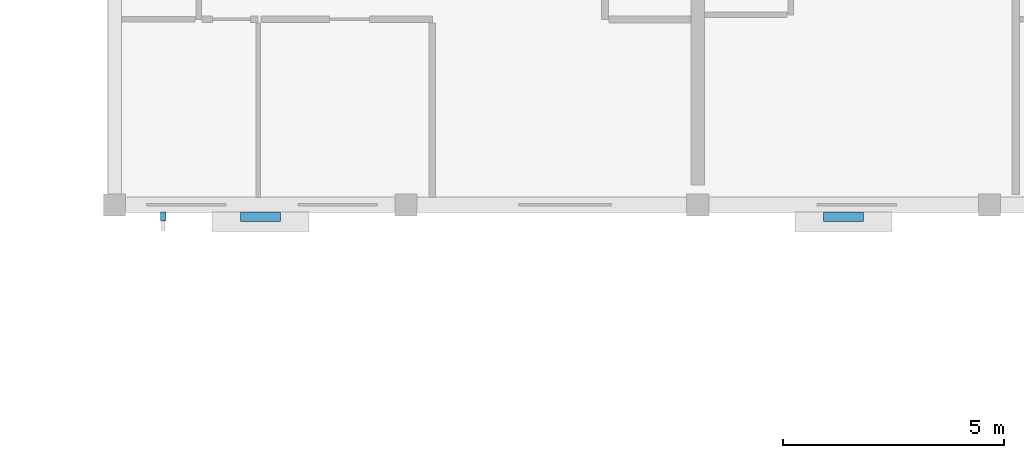
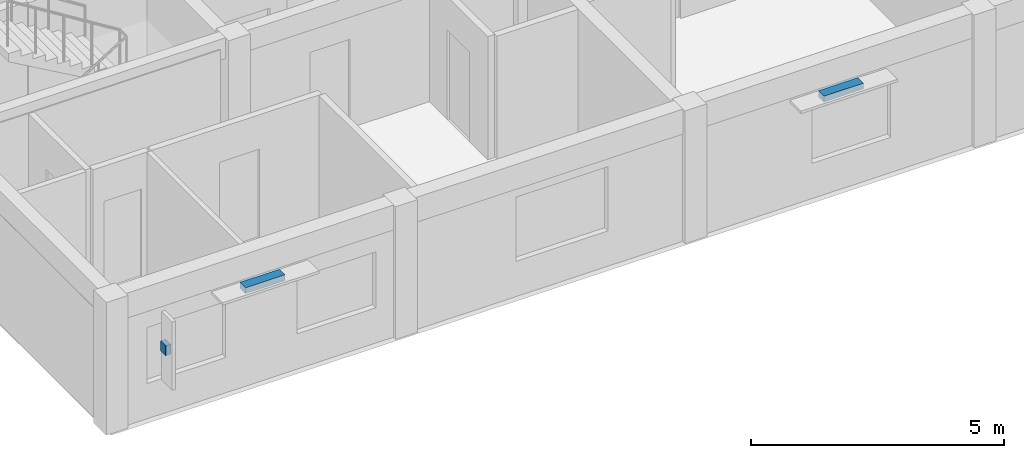
# One storey, part 46 of 53: 3 discrete accessories.
"""IFC4 building model written with IfcOpenShell, lengths in metres."""

from ifc_helpers import new_model, si_unit, direction, frame, origin, origin_2d, place, context, subcontext, project, spatial, rectangle, extrude, material, type_object, element, save


model = new_model("IFC4")

# Units and contexts
model_context = context("Model", 3, precision=1e-05, world=origin(), true_north=direction((0.0, 1.0)))
body_context = subcontext(model_context, "Body", "Model", "MODEL_VIEW")
ifc_project = project(units=[si_unit("LENGTHUNIT", "METRE"), si_unit("AREAUNIT", "SQUARE_METRE"), si_unit("VOLUMEUNIT", "CUBIC_METRE"), si_unit("PLANEANGLEUNIT", "RADIAN"), si_unit("MASSUNIT", "GRAM", prefix="KILO")], contexts=[model_context])

# Site, building, storey
site_placement = place(None, origin())
site = spatial("IfcSite", under=ifc_project, at=site_placement, CompositionType="ELEMENT")
building_placement = place(site_placement, origin())
building = spatial("IfcBuilding", under=site, at=building_placement, Name="Kernevlak Ridge Housing Community", CompositionType="ELEMENT")
storey_placement = place(building_placement, frame((0.0, 0.0, 24.39990234375)))
storey = spatial("IfcBuildingStorey", under=building, at=storey_placement, Name="L07", CompositionType="ELEMENT", Elevation=24.39990234375)

# Discrete accessories
ifc_material = material(Name="Steel S355 galvanised", Category="steel")
discrete_accessory_type = type_object("IfcDiscreteAccessoryType", Name="BK-01", PredefinedType="BRACKET", material=ifc_material)
discrete_accessory_1_placement = place(storey_placement, frame((122.699951171875, 82.330078125, 2.41015625), z_axis=(0.0, 0.0, 1.0), x_axis=(1.0, 0.0, 0.0)))
element("IfcDiscreteAccessory", 1, at=discrete_accessory_1_placement, inside=storey, type_object=discrete_accessory_type, Name="Sunshade steel bracket 21", PredefinedType="BRACKET", context=body_context, shape_type="SweptSolid", body=[
    extrude(rectangle(XDim=0.89990234375, YDim=0.219970703125, at=origin_2d()), origin(), (0.0, 0.0, 1.0), 0.139892578125),
])
discrete_accessory_2_placement = place(storey_placement, frame((120.5, 82.340087890625, 1.5302734375), z_axis=(0.0, 0.0, 1.0), x_axis=(1.0, 0.0, 0.0)))
element("IfcDiscreteAccessory", 2, at=discrete_accessory_2_placement, inside=storey, type_object=discrete_accessory_type, Name="Vertical fin fixing bracket 21", PredefinedType="BRACKET", context=body_context, shape_type="SweptSolid", body=[
    extrude(rectangle(XDim=0.1201171875, YDim=0.199951171875, at=origin_2d()), origin(), (0.0, 0.0, 1.0), 0.239990234375),
])
discrete_accessory_3_placement = place(storey_placement, frame((135.89990234375, 82.330078125, 2.41015625), z_axis=(0.0, 0.0, 1.0), x_axis=(1.0, 0.0, 0.0)))
element("IfcDiscreteAccessory", 3, at=discrete_accessory_3_placement, inside=storey, type_object=discrete_accessory_type, Name="Sunshade steel bracket 22", PredefinedType="BRACKET", context=body_context, shape_type="SweptSolid", body=[
    extrude(rectangle(XDim=0.89990234375, YDim=0.219970703125, at=origin_2d()), origin(), (0.0, 0.0, 1.0), 0.139892578125),
])

save(model, "model.ifc")
